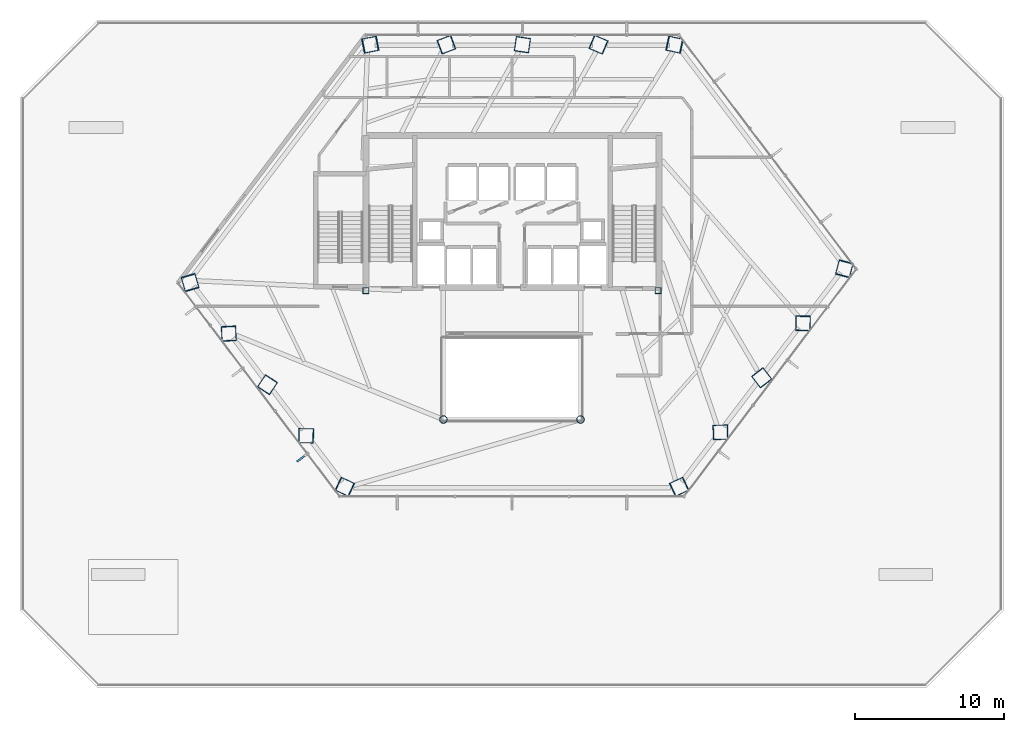
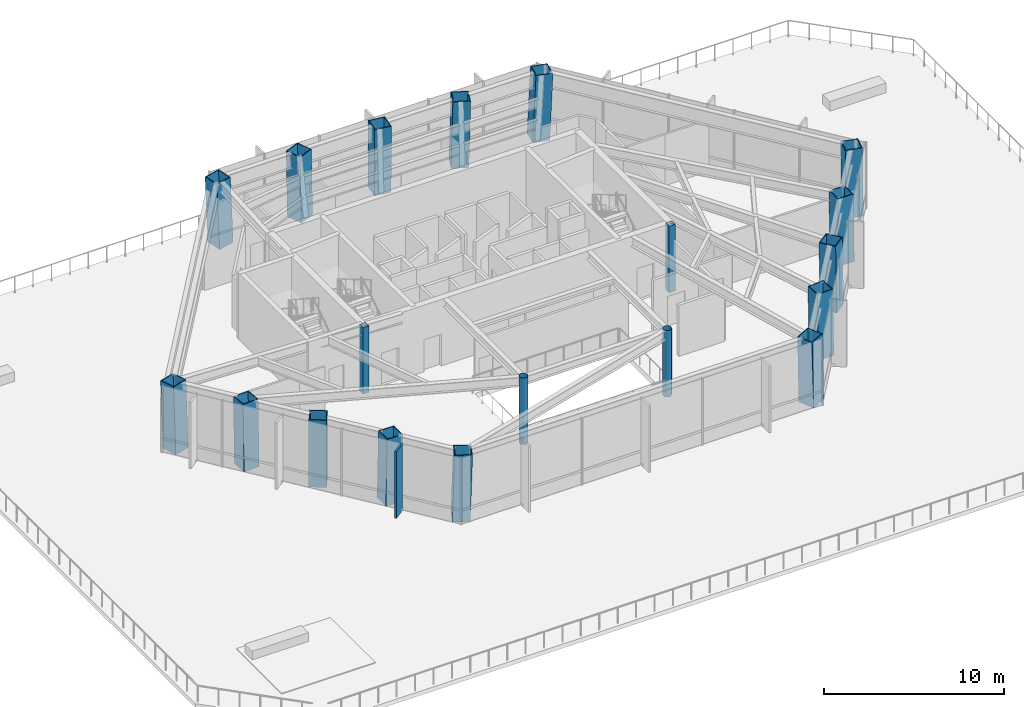
# One storey, part 1 of 30: 19 columns, 1 member, 1 element without a shape of its own.
"""IFC4 building model written with IfcOpenShell, lengths in metres."""

from ifc_helpers import new_model, si_unit, direction, frame, origin, origin_2d, place, context, subcontext, project, spatial, rectangle, hollow_rectangle, hollow_circle, extrude, material, layer, layer_set, material_profile, profile_set, type_object, element, aggregate, save


model = new_model("IFC4")

# Units and contexts
model_context = context("Model", 3, precision=1e-05, world=origin(), true_north=direction((0.0, 1.0)))
body_context = subcontext(model_context, "Body", "Model", "MODEL_VIEW")
ifc_project = project(units=[si_unit("LENGTHUNIT", "METRE"), si_unit("AREAUNIT", "SQUARE_METRE"), si_unit("VOLUMEUNIT", "CUBIC_METRE"), si_unit("PLANEANGLEUNIT", "RADIAN"), si_unit("MASSUNIT", "GRAM", prefix="KILO")], contexts=[model_context])

# Site, building, storey
site_placement = place(None, origin())
site = spatial("IfcSite", under=ifc_project, at=site_placement, CompositionType="ELEMENT")
building_placement = place(site_placement, origin())
building = spatial("IfcBuilding", under=site, at=building_placement, Name="Zarrinselat Tower", CompositionType="ELEMENT")
storey_placement = place(building_placement, frame((0.0, 0.0, 22.780029296875)))
storey = spatial("IfcBuildingStorey", under=building, at=storey_placement, Name="L05", CompositionType="ELEMENT", Elevation=22.780029296875)

# Columns
ifc_material_1 = material(Name="Steel S355J2", Category="steel")
ifc_material_profile_1 = material_profile(ifc_material_1, hollow_circle(Radius=0.25390625, WallThickness=0.02001953125, at=origin_2d()), Name="CHS 508x20")
ifc_profile_set_1 = profile_set([ifc_material_profile_1], Name="Steel S355J2")
column_type_1 = type_object("IfcColumnType", Name="COL-CHS508", PredefinedType="COLUMN", material=ifc_profile_set_1)
for number, where, z_axis, x_axis, name in (
    (1, (33.800048828125, 24.39990234375, 0.0), (0.0, 0.0, 1.0), (1.0, 0.0, 0.0), "L05 Atrium Corner Column 1"),
    (2, (43.0, 24.39990234375, 0.0), (0.0, 0.0, 1.0), (1.0, 0.0, 0.0), "L05 Atrium Corner Column 2"),
):
    element("IfcColumn", number, at=place(storey_placement, frame(where, z_axis=z_axis, x_axis=x_axis)), inside=storey, type_object=column_type_1, Name=name, PredefinedType="COLUMN", context=body_context, shape_type="SweptSolid", body=[
        extrude(hollow_circle(Radius=0.25390625, WallThickness=0.02001953125, at=origin_2d()), origin(), (0.0, 0.0, 1.0), 4.5),
    ])
ifc_material_2 = material(Name="Steel S460M", Category="steel")
ifc_material_profile_2 = material_profile(ifc_material_2, hollow_rectangle(XDim=1.0, YDim=1.0, WallThickness=0.050048828125, at=origin_2d()), Name="SHS 1000x1000x50")
ifc_profile_set_2 = profile_set([ifc_material_profile_2], Name="Steel S460M")
column_type_2 = type_object("IfcColumnType", Name="COL-SHS1000", PredefinedType="COLUMN", material=ifc_profile_set_2)
column_1_placement = place(storey_placement, frame((49.277099609375, 49.550048828125, 0.0), z_axis=(0.0420077433, -0.008672566359, 0.999079644521), x_axis=(0.202187723277, 0.979346784625, 0.0)))
element("IfcColumn", 3, at=column_1_placement, inside=storey, type_object=column_type_2, Name="L05 Framed-Tube Column T01", PredefinedType="COLUMN", context=body_context, shape_type="SweptSolid", body=[
    extrude(hollow_rectangle(XDim=1.0, YDim=1.0, WallThickness=0.050048828125, at=origin_2d()), origin(), (0.0, 0.0, 1.0), 4.504150390625),
])
column_2_placement = place(storey_placement, frame((44.1884765625, 49.550048828125, 0.0), z_axis=(0.020448511934, -0.008678413553, 0.999753241304), x_axis=(0.390675254549, 0.920528568532, 0.0)))
element("IfcColumn", 4, at=column_2_placement, inside=storey, type_object=column_type_2, Name="L05 Framed-Tube Column T02", PredefinedType="COLUMN", context=body_context, shape_type="SweptSolid", body=[
    extrude(hollow_rectangle(XDim=1.0, YDim=1.0, WallThickness=0.050048828125, at=origin_2d()), origin(), (0.0, 0.0, 1.0), 4.501220703125),
])
column_3_placement = place(storey_placement, frame((39.10009765625, 49.550048828125, 0.0), z_axis=(-0.001247781879, -0.008680221768, 0.999961547656), x_axis=(0.989825386618, -0.142287399326, 0.0)))
element("IfcColumn", 5, at=column_3_placement, inside=storey, type_object=column_type_2, Name="L05 Framed-Tube Column T03", PredefinedType="COLUMN", context=body_context, shape_type="SweptSolid", body=[
    extrude(hollow_rectangle(XDim=1.0, YDim=1.0, WallThickness=0.050048828125, at=origin_2d()), origin(), (0.0, 0.0, 1.0), 4.500244140625),
])
column_4_placement = place(storey_placement, frame((34.011474609375, 49.550048828125, 0.0), z_axis=(-0.022888105236, -0.008677954592, 0.999700368982), x_axis=(0.354520640342, -0.935048188903, 0.0)))
element("IfcColumn", 6, at=column_4_placement, inside=storey, type_object=column_type_2, Name="L05 Framed-Tube Column T04", PredefinedType="COLUMN", context=body_context, shape_type="SweptSolid", body=[
    extrude(hollow_rectangle(XDim=1.0, YDim=1.0, WallThickness=0.050048828125, at=origin_2d()), origin(), (0.0, 0.0, 1.0), 4.50146484375),
])
column_5_placement = place(storey_placement, frame((28.923095703125, 49.550048828125, 0.0), z_axis=(-0.044550397698, -0.008671610257, 0.998969501657), x_axis=(0.191061427152, -0.981578081996, 0.0)))
element("IfcColumn", 7, at=column_5_placement, inside=storey, type_object=column_type_2, Name="L05 Framed-Tube Column T05", PredefinedType="COLUMN", context=body_context, shape_type="SweptSolid", body=[
    extrude(hollow_rectangle(XDim=1.0, YDim=1.0, WallThickness=0.050048828125, at=origin_2d()), origin(), (0.0, 0.0, 1.0), 4.504638671875),
])
column_6_placement = place(storey_placement, frame((16.8154296875, 33.568115234375, 0.0), z_axis=(-0.010463457078, 0.03626970355, 0.999287258335), x_axis=(-0.960816235785, -0.277186148739, 0.0)))
element("IfcColumn", 8, at=column_6_placement, inside=storey, type_object=column_type_2, Name="L05 Framed-Tube Column T06", PredefinedType="COLUMN", context=body_context, shape_type="SweptSolid", body=[
    extrude(hollow_rectangle(XDim=1.0, YDim=1.0, WallThickness=0.050048828125, at=origin_2d()), origin(), (0.0, 0.0, 1.0), 4.503173828125),
])
column_7_placement = place(storey_placement, frame((19.40478515625, 30.14990234375, 0.0), z_axis=(-0.00124746375, 0.024189949247, 0.999706602054), x_axis=(-0.998672939305, -0.051501070861, 0.0)))
element("IfcColumn", 9, at=column_7_placement, inside=storey, type_object=column_type_2, Name="L05 Framed-Tube Column T07", PredefinedType="COLUMN", context=body_context, shape_type="SweptSolid", body=[
    extrude(hollow_rectangle(XDim=1.0, YDim=1.0, WallThickness=0.050048828125, at=origin_2d()), origin(), (0.0, 0.0, 1.0), 4.501220703125),
])
column_8_placement = place(storey_placement, frame((21.994384765625, 26.73193359375, 0.0), z_axis=(0.007865944712, 0.0119887847, 0.999897192693), x_axis=(-0.836102137892, 0.54857380088, 0.0)))
element("IfcColumn", 10, at=column_8_placement, inside=storey, type_object=column_type_2, Name="L05 Framed-Tube Column T08", PredefinedType="COLUMN", context=body_context, shape_type="SweptSolid", body=[
    extrude(hollow_rectangle(XDim=1.0, YDim=1.0, WallThickness=0.050048828125, at=origin_2d()), origin(), (0.0, 0.0, 1.0), 4.50048828125),
])
column_9_placement = place(storey_placement, frame((24.58349609375, 23.31396484375, 0.0), z_axis=(0.017195807539, -0.000162736349, 0.999852127927), x_axis=(0.009463298631, 0.999955221987, 0.0)))
element("IfcColumn", 11, at=column_9_placement, inside=storey, type_object=column_type_2, Name="L05 Framed-Tube Column T09", PredefinedType="COLUMN", context=body_context, shape_type="SweptSolid", body=[
    extrude(hollow_rectangle(XDim=1.0, YDim=1.0, WallThickness=0.050048828125, at=origin_2d()), origin(), (0.0, 0.0, 1.0), 4.500732421875),
])
for number, where, z_axis, x_axis, name in (
    (12, (27.173095703125, 19.89599609375, 0.0), (0.026356011753, -0.012364548724, 0.999576149465), (0.424720211391, 0.905324661122, 0.0), "L05 Framed-Tube Column T10"),
    (13, (49.626953125, 19.89599609375, 0.0), (-0.026356011753, -0.012364548724, 0.999576149465), (0.424720211391, -0.905324661122, 0.0), "L05 Framed-Tube Column T11"),
):
    element("IfcColumn", number, at=place(storey_placement, frame(where, z_axis=z_axis, x_axis=x_axis)), inside=storey, type_object=column_type_2, Name=name, PredefinedType="COLUMN", context=body_context, shape_type="SweptSolid", body=[
        extrude(hollow_rectangle(XDim=1.0, YDim=1.0, WallThickness=0.050048828125, at=origin_2d()), origin(), (0.0, 0.0, 1.0), 4.501953125),
    ])
column_10_placement = place(storey_placement, frame((52.391357421875, 23.544921875, 0.0), z_axis=(-0.017466949801, -0.000596697043, 0.999847263144), x_axis=(0.034141574756, -0.999417006496, 0.0)))
element("IfcColumn", 14, at=column_10_placement, inside=storey, type_object=column_type_2, Name="L05 Framed-Tube Column T12", PredefinedType="COLUMN", context=body_context, shape_type="SweptSolid", body=[
    extrude(hollow_rectangle(XDim=1.0, YDim=1.0, WallThickness=0.050048828125, at=origin_2d()), origin(), (0.0, 0.0, 1.0), 4.500732421875),
])
column_11_placement = place(storey_placement, frame((55.15576171875, 27.194091796875, 0.0), z_axis=(-0.008571198443, 0.01117510683, 0.999900820854), x_axis=(-0.793482352244, -0.608593260459, 0.0)))
element("IfcColumn", 15, at=column_11_placement, inside=storey, type_object=column_type_2, Name="L05 Framed-Tube Column T13", PredefinedType="COLUMN", context=body_context, shape_type="SweptSolid", body=[
    extrude(hollow_rectangle(XDim=1.0, YDim=1.0, WallThickness=0.050048828125, at=origin_2d()), origin(), (0.0, 0.0, 1.0), 4.50048828125),
])
column_12_placement = place(storey_placement, frame((57.920166015625, 30.843017578125, 0.0), z_axis=(0.000325435129, 0.022943176627, 0.99973671771), x_axis=(-0.999899416616, 0.014182970448, 0.0)))
element("IfcColumn", 16, at=column_12_placement, inside=storey, type_object=column_type_2, Name="L05 Framed-Tube Column T14", PredefinedType="COLUMN", context=body_context, shape_type="SweptSolid", body=[
    extrude(hollow_rectangle(XDim=1.0, YDim=1.0, WallThickness=0.050048828125, at=origin_2d()), origin(), (0.0, 0.0, 1.0), 4.501220703125),
])
column_13_placement = place(storey_placement, frame((60.6845703125, 34.491943359375, 0.0), z_axis=(0.009271357768, 0.034699818545, 0.999354774101), x_axis=(-0.966109551859, 0.258132395887, 0.0)))
element("IfcColumn", 17, at=column_13_placement, inside=storey, type_object=column_type_2, Name="L05 Framed-Tube Column T15", PredefinedType="COLUMN", context=body_context, shape_type="SweptSolid", body=[
    extrude(hollow_rectangle(XDim=1.0, YDim=1.0, WallThickness=0.050048828125, at=origin_2d()), origin(), (0.0, 0.0, 1.0), 4.5029296875),
])
ifc_material_3 = material(Name="Steel S355J2", Category="steel")
ifc_material_profile_3 = material_profile(ifc_material_3, hollow_rectangle(XDim=0.39990234375, YDim=0.39990234375, WallThickness=0.02001953125, at=origin_2d()), Name="SHS 400x400x20")
ifc_profile_set_3 = profile_set([ifc_material_profile_3], Name="Steel S355J2")
column_type_3 = type_object("IfcColumnType", Name="COL-SHS400", PredefinedType="PILASTER", material=ifc_profile_set_3)
for number, where, z_axis, x_axis, name in (
    (18, (28.60009765625, 33.050048828125, 0.0), (0.0, 0.0, 1.0), (1.0, 0.0, 0.0), "L05 Gallery Structural Pilaster 1"),
    (19, (48.199951171875, 33.050048828125, 0.0), (0.0, 0.0, 1.0), (1.0, 0.0, 0.0), "L05 Gallery Structural Pilaster 2"),
):
    element("IfcColumn", number, at=place(storey_placement, frame(where, z_axis=z_axis, x_axis=x_axis)), inside=storey, type_object=column_type_3, Name=name, PredefinedType="PILASTER", context=body_context, shape_type="SweptSolid", body=[
        extrude(hollow_rectangle(XDim=0.39990234375, YDim=0.39990234375, WallThickness=0.02001953125, at=origin_2d()), origin(), (0.0, 0.0, 1.0), 4.5),
    ])

# Curtain wall, member
ifc_material_4 = material(Name="Extruded Aluminium Alloy EN AW-6063 T6", Category="aluminium")
ifc_layer = layer(ifc_material_4, 0.195068359375)
ifc_layer_set = layer_set([ifc_layer], Name="Extruded Aluminium Alloy EN AW-6063 T6")
curtain_wall_type = type_object("IfcCurtainWallType", Name="CWS-GDN", PredefinedType="NOTDEFINED", material=ifc_layer_set)
curtain_wall_placement = place(storey_placement, origin())
curtain_wall = element("IfcCurtainWall", 20, at=curtain_wall_placement, inside=storey, type_object=curtain_wall_type, Name="L05 Unitised Curtain Wall CW-L05-E03", PredefinedType="NOTDEFINED")
ifc_material_5 = material(Name="Honed Cream Travertine Stone", Category="masonry")
ifc_material_profile_4 = material_profile(ifc_material_5, rectangle(XDim=0.1201171875, YDim=0.85009765625, at=origin_2d()), Name="FIN 850x120")
ifc_profile_set_4 = profile_set([ifc_material_profile_4], Name="Honed Cream Travertine Stone")
member_type = type_object("IfcMemberType", Name="MEM-STONE-FIN", PredefinedType="USERDEFINED", material=ifc_profile_set_4)
member_placement = place(storey_placement, frame((24.313232421875, 21.83251953125, 0.0), z_axis=(0.0, 0.0, 1.0), x_axis=(-0.603857687995, 0.797092148154, 0.0)))
member = element("IfcMember", 21, at=member_placement, type_object=member_type, Name="L05 Stone Shading Fin CW-L05-E03-05", ObjectType="FIN", PredefinedType="USERDEFINED", context=body_context, shape_type="SweptSolid", body=[
    extrude(rectangle(XDim=0.1201171875, YDim=0.85009765625, at=origin_2d()), origin(), (0.0, 0.0, 1.0), 4.5),
])
aggregate(curtain_wall, [member])

save(model, "model.ifc")
